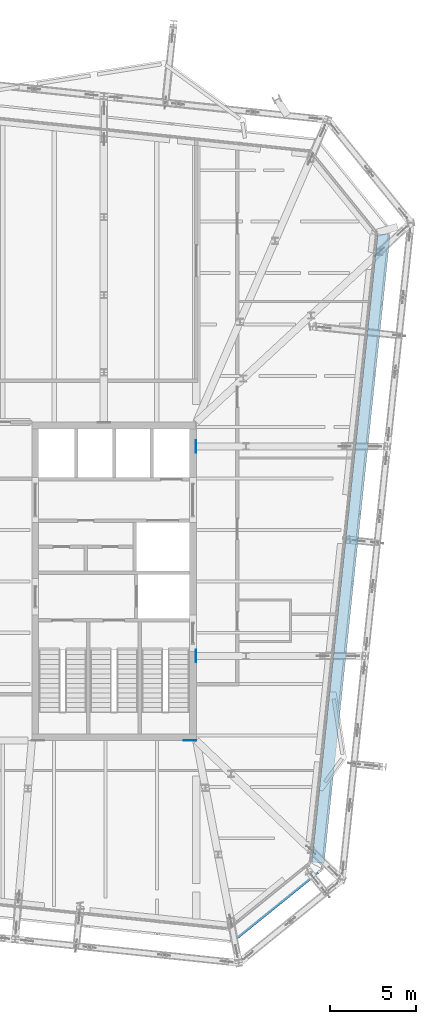
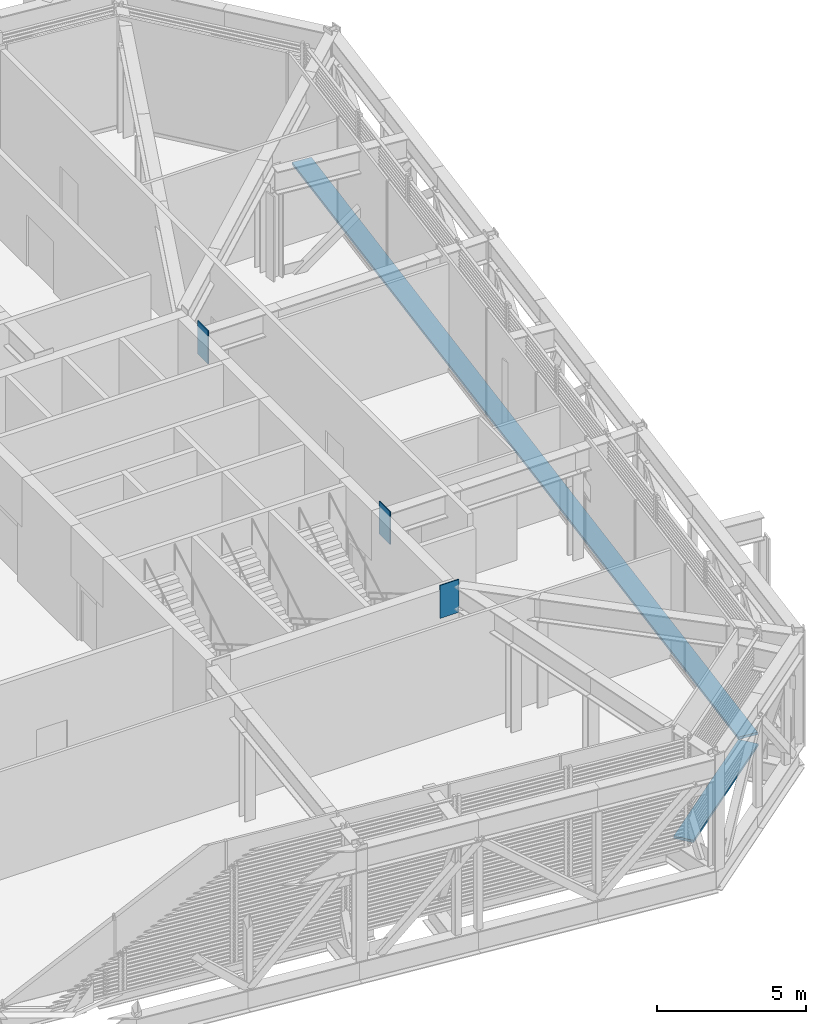
# One storey, part 26 of 36: 5 discrete accessories.
"""IFC4 building model written with IfcOpenShell, lengths in metres."""

from ifc_helpers import new_model, si_unit, direction, frame, origin, origin_2d, place, context, subcontext, project, spatial, rectangle, extrude, material, layer, layer_set, type_object, element, save


model = new_model("IFC4")

# Units and contexts
model_context = context("Model", 3, precision=1e-05, world=origin(), true_north=direction((0.0, 1.0)))
body_context = subcontext(model_context, "Body", "Model", "MODEL_VIEW")
ifc_project = project(units=[si_unit("LENGTHUNIT", "METRE"), si_unit("AREAUNIT", "SQUARE_METRE"), si_unit("VOLUMEUNIT", "CUBIC_METRE"), si_unit("PLANEANGLEUNIT", "RADIAN"), si_unit("MASSUNIT", "GRAM", prefix="KILO")], contexts=[model_context])

# Site, building, storey
site_placement = place(None, origin())
site = spatial("IfcSite", under=ifc_project, at=site_placement, CompositionType="ELEMENT")
building_placement = place(site_placement, origin())
building = spatial("IfcBuilding", under=site, at=building_placement, Name="Millrace Tower", CompositionType="ELEMENT")
storey_placement = place(building_placement, frame((0.0, 0.0, 271.39990234375)))
storey = spatial("IfcBuildingStorey", under=building, at=storey_placement, Name="L62", CompositionType="ELEMENT", Elevation=271.39990234375)

# Discrete accessories
ifc_material_1 = material(Name="Steel ASTM A572 Grade 50", Category="steel")
ifc_layer_1 = layer(ifc_material_1, 0.034912109375)
ifc_layer_set_1 = layer_set([ifc_layer_1], Name="Steel ASTM A572 Grade 50")
discrete_accessory_type_1 = type_object("IfcDiscreteAccessoryType", Name="Cast-in anchor plate 725x1350x35", PredefinedType="ANCHORPLATE", material=ifc_layer_set_1)
for number, where, z_axis, x_axis, name in (
    (1, (14.264892578125, -4.353515625, 3.96630859375), (1.0, 0.0, 0.0), (0.0, 1.0, 0.0), "Cast-in anchor plate TRS-L62-C07-T03"),
    (2, (14.264892578125, 7.879150390625, 3.96630859375), (1.0, 0.0, 0.0), (0.0, 1.0, 0.0), "Cast-in anchor plate TRS-L62-C08-T03"),
):
    element("IfcDiscreteAccessory", number, at=place(storey_placement, frame(where, z_axis=z_axis, x_axis=x_axis)), inside=storey, type_object=discrete_accessory_type_1, Name=name, PredefinedType="ANCHORPLATE", context=body_context, shape_type="SweptSolid", body=[
        extrude(rectangle(XDim=0.72509765625, YDim=1.35009765625, at=origin_2d()), origin(), (0.0, 0.0, 1.0), 0.03515625),
    ])
ifc_material_2 = material(Name="Steel ASTM A572 Grade 50", Category="steel")
ifc_layer_2 = layer(ifc_material_2, 0.034912109375)
ifc_layer_set_2 = layer_set([ifc_layer_2], Name="Steel ASTM A572 Grade 50")
discrete_accessory_type_2 = type_object("IfcDiscreteAccessoryType", Name="Cast-in anchor plate 735x1350x35", PredefinedType="ANCHORPLATE", material=ifc_layer_set_2)
discrete_accessory_1_placement = place(storey_placement, frame((13.9326171875, -9.264892578125, 3.96630859375), z_axis=(0.0, -1.0, 0.0), x_axis=(1.0, 0.0, 0.0)))
element("IfcDiscreteAccessory", 3, at=discrete_accessory_1_placement, inside=storey, type_object=discrete_accessory_type_2, Name="Cast-in anchor plate TRS-L62-C05-T04", PredefinedType="ANCHORPLATE", context=body_context, shape_type="SweptSolid", body=[
    extrude(rectangle(XDim=0.735107421875, YDim=1.35009765625, at=origin_2d()), origin(), (0.0, 0.0, 1.0), 0.03515625),
])
ifc_material_3 = material(Name="Stainless steel ASTM A240 type 316", Category="steel")
discrete_accessory_type_3 = type_object("IfcDiscreteAccessoryType", Name="Thermally broken screen support rail", PredefinedType="BRACKET", material=ifc_material_3)
discrete_accessory_2_placement = place(storey_placement, frame((18.854736328125, -18.686767578125, 0.0), z_axis=(0.0, 0.0, 1.0), x_axis=(0.777146052237, 0.629320278945, 0.0)))
element("IfcDiscreteAccessory", 4, at=discrete_accessory_2_placement, inside=storey, type_object=discrete_accessory_type_3, Name="Thermally broken screen support rail E-F03 L62 1", PredefinedType="BRACKET", context=body_context, shape_type="SweptSolid", body=[
    extrude(rectangle(XDim=6.0810546875, YDim=0.719970703125, at=origin_2d()), origin(), (0.0, 0.0, 1.0), 0.10009765625),
])
discrete_accessory_3_placement = place(storey_placement, frame((23.33251953125, 1.918701171875, 0.0), z_axis=(0.0, 0.0, 1.0), x_axis=(0.104528455196, 0.994521896217, 0.0)))
element("IfcDiscreteAccessory", 5, at=discrete_accessory_3_placement, inside=storey, type_object=discrete_accessory_type_3, Name="Thermally broken screen support rail E-F04 L62 1", PredefinedType="BRACKET", context=body_context, shape_type="SweptSolid", body=[
    extrude(rectangle(XDim=36.89990234375, YDim=0.719970703125, at=origin_2d()), origin(), (0.0, 0.0, 1.0), 0.10009765625),
])

save(model, "model.ifc")
